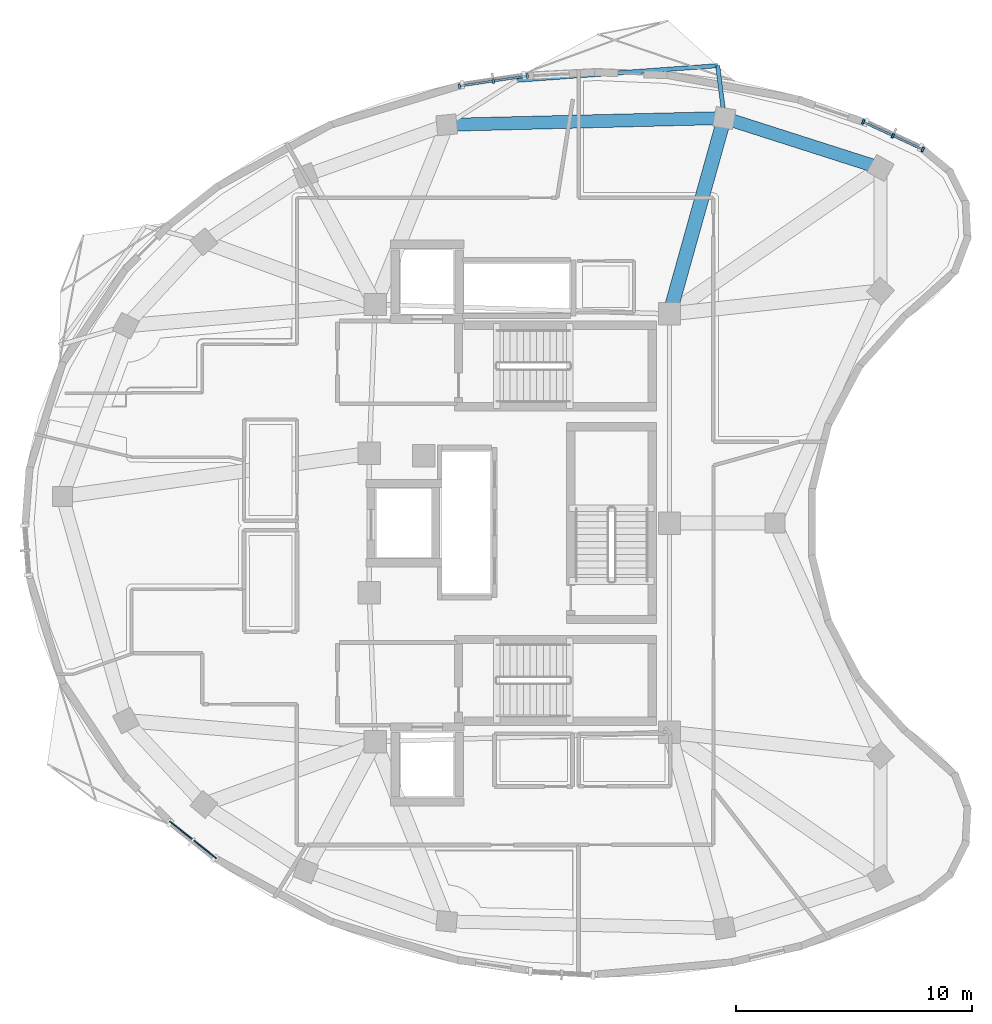
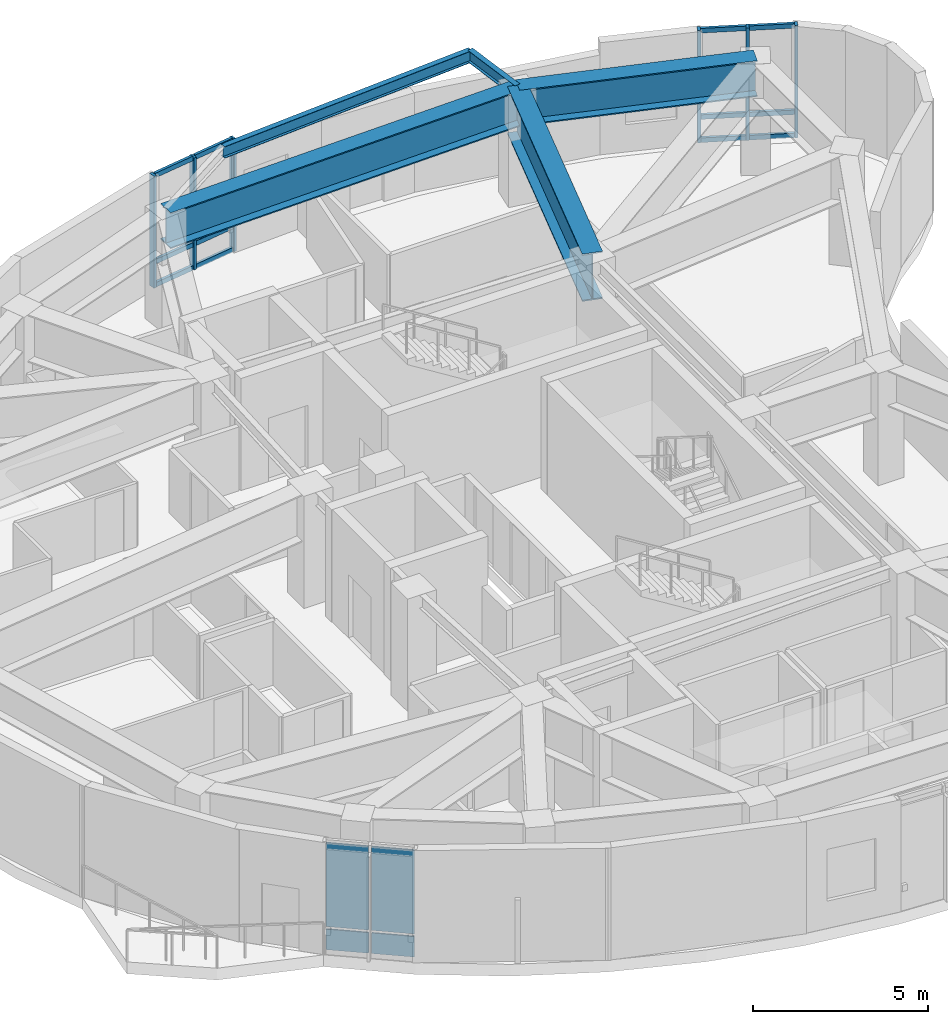
# One storey, part 4 of 12: 18 members, 5 beams, 4 plates, 3 elements without a shape of their own.
"""IFC4 building model written with IfcOpenShell, lengths in metres."""

import ifcopenshell
import ifcopenshell.guid

model = None  # the IFC model being written
_history = None  # IfcOwnerHistory: only IFC2X3 demands one
_inside = {}  # id of a spatial element -> (the spatial element, [elements in it])
_under = {}  # id of a project, library or spatial element -> (it, [spatial elements below it])
_declared = {}  # id of a project -> (the project, [libraries it declares])
_typed = {}  # id of a type object -> (the type object, [elements of that type])
_made_of = {}  # id of a material, layer set ... -> (it, [elements and type objects made of it])


def new_model(schema):
    """Start an empty IFC model of exactly this schema.

    Asked for "IFC4X3", IfcOpenShell would pick the latest addendum, in which some entities
    have other attributes; the version numbers below select the first issue.
    IFC2X3 requires an IfcOwnerHistory on every rooted entity: one is made here for all.
    """
    global model, _history
    if schema == "IFC4X3":
        model = ifcopenshell.file(schema_version=(4, 3, 0, 0))
    else:
        model = ifcopenshell.file(schema=schema)
    _inside.clear()
    _under.clear()
    _declared.clear()
    _typed.clear()
    _made_of.clear()
    _history = None
    if model.schema == "IFC2X3":
        org = make("IfcOrganization", Name="unknown")
        user = make(
            "IfcPersonAndOrganization",
            ThePerson=make("IfcPerson", FamilyName="unknown"),
            TheOrganization=org,
        )
        app = make(
            "IfcApplication",
            ApplicationDeveloper=org,
            Version="unknown",
            ApplicationFullName="unknown",
            ApplicationIdentifier="unknown",
        )
        _history = make(
            "IfcOwnerHistory",
            OwningUser=user,
            OwningApplication=app,
            ChangeAction="ADDED",
            CreationDate=0,
        )
    return model


def make(cls, **values):
    """One entity of the class cls with the attributes given. An attribute that is None is left unset."""
    return model.create_entity(
        cls, **{name: value for name, value in values.items() if value is not None}
    )


def rooted(cls, **values):
    """An entity with a GlobalId (a new one), such as an element, a storey or a relation."""
    return make(cls, GlobalId=ifcopenshell.guid.new(), OwnerHistory=_history, **values)


def si_unit(unit_type, name, prefix=None):
    """IfcSIUnit, for example si_unit("LENGTHUNIT", "METRE", prefix="MILLI")."""
    return make("IfcSIUnit", UnitType=unit_type, Prefix=prefix, Name=name)


def assignment(units):
    """IfcUnitAssignment: the units of a project."""
    return None if units is None else make("IfcUnitAssignment", Units=units)


def point(xyz):
    """IfcCartesianPoint."""
    return None if xyz is None else make("IfcCartesianPoint", Coordinates=xyz)


def direction(xyz):
    """IfcDirection."""
    return None if xyz is None else make("IfcDirection", DirectionRatios=xyz)


def frame(location, z_axis=None, x_axis=None):
    """IfcAxis2Placement3D, a coordinate frame: its origin and axes. An axis left out is left unset."""
    return make(
        "IfcAxis2Placement3D",
        Location=point(location),
        Axis=direction(z_axis),
        RefDirection=direction(x_axis),
    )


def frame_2d(location, x_axis=None):
    """IfcAxis2Placement2D, a coordinate frame in the plane: its origin and x axis."""
    return make(
        "IfcAxis2Placement2D", Location=point(location), RefDirection=direction(x_axis)
    )


def origin():
    """The frame at (0, 0, 0) with its axes left unset."""
    return frame((0.0, 0.0, 0.0))


def origin_2d():
    """The frame at (0, 0) in the plane with its x axis left unset."""
    return frame_2d((0.0, 0.0))


def place(relative_to, where):
    """IfcLocalPlacement: puts the frame where relative to a parent placement (None: the world)."""
    return make(
        "IfcLocalPlacement", PlacementRelTo=relative_to, RelativePlacement=where
    )


def context(
    kind, dimensions, precision=None, world=None, true_north=None, identifier=None
):
    """IfcGeometricRepresentationContext, for example the 3D "Model" context."""
    return make(
        "IfcGeometricRepresentationContext",
        ContextIdentifier=identifier,
        ContextType=kind,
        CoordinateSpaceDimension=dimensions,
        Precision=precision,
        WorldCoordinateSystem=world,
        TrueNorth=true_north,
    )


def subcontext(parent, identifier, kind, view, scale=None):
    """IfcGeometricRepresentationSubContext, for example "Body" below "Model"."""
    return make(
        "IfcGeometricRepresentationSubContext",
        ContextIdentifier=identifier,
        ContextType=kind,
        ParentContext=parent,
        TargetScale=scale,
        TargetView=view,
    )


def project(units=None, contexts=None):
    """IfcProject with its units and contexts."""
    return rooted(
        "IfcProject",
        Name="project",
        RepresentationContexts=contexts,
        UnitsInContext=assignment(units),
    )


def spatial(cls, under=None, at=None, **own):
    """A site, building, storey or space (cls), placed at a placement, below another one or the project."""
    s = rooted(cls, ObjectPlacement=at, **own)
    if under is not None:
        _under.setdefault(under.id(), (under, []))[1].append(s)
    return s


def profile(cls, at=None, kind="AREA", **sizes):
    """A parametric profile (cls). Its sizes go by their IFC names, for example OverallWidth=200.0."""
    return make(cls, ProfileType=kind, Position=at, **sizes)


def rectangle(**sizes):
    """IfcRectangleProfileDef."""
    return profile("IfcRectangleProfileDef", **sizes)


def i_section(**sizes):
    """IfcIShapeProfileDef."""
    return profile("IfcIShapeProfileDef", **sizes)


def extrude(swept, where, along, depth):
    """IfcExtrudedAreaSolid: the profile swept, set in the frame where, extruded along a direction by depth."""
    return make(
        "IfcExtrudedAreaSolid",
        SweptArea=swept,
        Position=where,
        ExtrudedDirection=direction(along),
        Depth=depth,
    )


def shape(context_of_items, identifier, shape_type, items):
    """IfcShapeRepresentation: the items that make up one representation, for example the "Body"."""
    return make(
        "IfcShapeRepresentation",
        ContextOfItems=context_of_items,
        RepresentationIdentifier=identifier,
        RepresentationType=shape_type,
        Items=items,
    )


def material(Name=None, Category=None):
    """IfcMaterial."""
    return make("IfcMaterial", Name=Name, Category=Category)


def layer(
    of_material, thickness, ventilated=None, Name=None, Category=None, Priority=None
):
    """IfcMaterialLayer: one layer of a wall or slab, of a material (None: an air gap)."""
    return make(
        "IfcMaterialLayer",
        Material=of_material,
        LayerThickness=thickness,
        IsVentilated=ventilated,
        Name=Name,
        Category=Category,
        Priority=Priority,
    )


def layer_set(layers, Name=None):
    """IfcMaterialLayerSet."""
    return make("IfcMaterialLayerSet", MaterialLayers=layers, LayerSetName=Name)


def material_profile(
    of_material, cross_section, Name=None, Category=None, Priority=None
):
    """IfcMaterialProfile: a cross section and its material."""
    return make(
        "IfcMaterialProfile",
        Name=Name,
        Material=of_material,
        Profile=cross_section,
        Priority=Priority,
        Category=Category,
    )


def profile_set(profiles, Name=None, composite=None):
    """IfcMaterialProfileSet."""
    return make(
        "IfcMaterialProfileSet",
        Name=Name,
        MaterialProfiles=profiles,
        CompositeProfile=composite,
    )


def made_of(thing, what):
    """Note that an element or type object is made of a material, layer set ...; save() writes the relation."""
    if what is not None:
        _made_of.setdefault(what.id(), (what, []))[1].append(thing)
    return thing


def type_object(cls, material=None, **own):
    """A type object (cls), such as IfcWallType, which elements share."""
    return made_of(rooted(cls, **own), material)


def element(
    cls,
    number,
    at=None,
    inside=None,
    cuts=None,
    type_object=None,
    material=None,
    context=None,
    identifier="Body",
    shape_type=None,
    held_by="IfcProductDefinitionShape",
    body=None,
    shapes=None,
    **own,
):
    """One element of the class cls, such as IfcWall. Its Tag is "e" and its number.

    at: its placement. inside: the storey or other place that contains it. cuts: it is an
    opening in that element (IfcRelVoidsElement). A single representation is given by context,
    identifier, shape_type and body (its items); several are given by shapes. held_by: the class
    of the entity that holds the representations. save() writes the other relations.
    """
    e = rooted(cls, Tag="e%d" % number, ObjectPlacement=at, **own)
    if body is not None:
        shapes = [shape(context, identifier, shape_type, body)]
    if shapes is not None:
        e.Representation = make(held_by, Representations=shapes)
    if inside is not None:
        _inside.setdefault(inside.id(), (inside, []))[1].append(e)
    if cuts is not None:
        rooted(
            "IfcRelVoidsElement", RelatingBuildingElement=cuts, RelatedOpeningElement=e
        )
    if type_object is not None:
        _typed.setdefault(type_object.id(), (type_object, []))[1].append(e)
    return made_of(e, material)


def aggregate(whole, parts):
    """IfcRelAggregates: a whole, such as a stair, and the parts it consists of."""
    return rooted("IfcRelAggregates", RelatingObject=whole, RelatedObjects=parts)


def save(model, path):
    """Write the relations noted so far, then the file.

    IfcRelAggregates (storeys below a building ...), IfcRelContainedInSpatialStructure (elements
    in a storey), IfcRelDefinesByType, IfcRelAssociatesMaterial and IfcRelDeclares: one each for
    every whole, place, type object, material and project.
    """
    for whole, parts in _under.values():
        aggregate(whole, parts)
    for where, things in _inside.values():
        rooted(
            "IfcRelContainedInSpatialStructure",
            RelatedElements=things,
            RelatingStructure=where,
        )
    for kind, things in _typed.values():
        rooted("IfcRelDefinesByType", RelatedObjects=things, RelatingType=kind)
    for what, things in _made_of.values():
        rooted("IfcRelAssociatesMaterial", RelatedObjects=things, RelatingMaterial=what)
    for by, libraries in _declared.values():
        rooted("IfcRelDeclares", RelatingContext=by, RelatedDefinitions=libraries)
    model.write(path)


model = new_model("IFC4")

# Units and contexts
model_context = context("Model", 3, precision=1e-05, world=origin(), true_north=direction((0.0, 1.0)))
body_context = subcontext(model_context, "Body", "Model", "MODEL_VIEW")
ifc_project = project(units=[si_unit("LENGTHUNIT", "METRE"), si_unit("AREAUNIT", "SQUARE_METRE"), si_unit("VOLUMEUNIT", "CUBIC_METRE"), si_unit("PLANEANGLEUNIT", "RADIAN"), si_unit("MASSUNIT", "GRAM", prefix="KILO")], contexts=[model_context])

# Site, building, storey
site_placement = place(None, origin())
site = spatial("IfcSite", under=ifc_project, at=site_placement, CompositionType="ELEMENT")
building_placement = place(site_placement, origin())
building = spatial("IfcBuilding", under=site, at=building_placement, Name="Korentha Bioscience Tower", CompositionType="ELEMENT")
storey_placement = place(building_placement, frame((0.0, 0.0, 286.800048828125)))
storey = spatial("IfcBuildingStorey", under=building, at=storey_placement, Name="L66", CompositionType="ELEMENT", Elevation=286.800048828125)

# Beams
ifc_material_1 = material(Name="Steel S355", Category="steel")
ifc_material_profile_1 = material_profile(ifc_material_1, i_section(OverallWidth=0.550048828125, OverallDepth=1.25, WebThickness=0.02392578125, FlangeThickness=0.0400390625, at=origin_2d()), Name="Steel S355")
ifc_profile_set_1 = profile_set([ifc_material_profile_1], Name="Steel S355 (TG-03)")
beam_type_1 = type_object("IfcBeamType", Name="Crown Step Transfer Girder CVS 1250x510", PredefinedType="USERDEFINED", material=ifc_profile_set_1)
beam_1_placement = place(storey_placement, frame((46.476318359375, 42.022705078125, 3.27490234375), z_axis=(-0.952374693577, 0.304930226503, 0.0), x_axis=(-0.304930226503, -0.952374693577, 0.0)))
element("IfcBeam", 1, at=beam_1_placement, inside=storey, type_object=beam_type_1, Name="L66 Perimeter Spandrel Girder 01", ObjectType="TRANSFER_GIRDER", PredefinedType="USERDEFINED", context=body_context, shape_type="SweptSolid", body=[
    extrude(i_section(OverallWidth=0.550048828125, OverallDepth=1.25, WebThickness=0.02392578125, FlangeThickness=0.0400390625, at=origin_2d()), origin(), (0.0, 0.0, 1.0), 6.9375),
])
beam_2_placement = place(storey_placement, frame((39.869140625, 44.13818359375, 3.27490234375), z_axis=(-0.999696680128, -0.024628189974, 0.0), x_axis=(0.024628189974, -0.999696680128, 0.0)))
element("IfcBeam", 2, at=beam_2_placement, inside=storey, type_object=beam_type_1, Name="L66 Perimeter Spandrel Girder 02", ObjectType="TRANSFER_GIRDER", PredefinedType="USERDEFINED", context=body_context, shape_type="SweptSolid", body=[
    extrude(i_section(OverallWidth=0.550048828125, OverallDepth=1.25, WebThickness=0.02392578125, FlangeThickness=0.0400390625, at=origin_2d()), origin(), (0.0, 0.0, 1.0), 11.7470703125),
])
ifc_material_profile_2 = material_profile(ifc_material_1, i_section(OverallWidth=0.60009765625, OverallDepth=1.64990234375, WebThickness=0.02587890625, FlangeThickness=0.0439453125, at=origin_2d()), Name="Steel S355")
ifc_profile_set_2 = profile_set([ifc_material_profile_2], Name="Steel S355 (TG-04)")
beam_type_2 = type_object("IfcBeamType", Name="Deep Setback Transfer Girder CVS 1650x620", PredefinedType="USERDEFINED", material=ifc_profile_set_2)
beam_3_placement = place(storey_placement, frame((37.550048828125, 35.85009765625, 3.074951171875), z_axis=(0.269460517512, 0.963011437888, 0.0), x_axis=(-0.963011437888, 0.269460517512, 0.0)))
element("IfcBeam", 3, at=beam_3_placement, inside=storey, type_object=beam_type_2, Name="L66 Radial Transfer Girder 02", ObjectType="TRANSFER_GIRDER", PredefinedType="USERDEFINED", context=body_context, shape_type="SweptSolid", body=[
    extrude(i_section(OverallWidth=0.60009765625, OverallDepth=1.64990234375, WebThickness=0.02587890625, FlangeThickness=0.0439453125, at=origin_2d()), origin(), (0.0, 0.0, 1.0), 8.6064453125),
])

# Curtain wall, members
ifc_material_2 = material(Name="Thermally Broken Aluminium Frame", Category="aluminium")
ifc_layer_1 = layer(ifc_material_2, 0.219970703125, Name="Thermally Broken Aluminium Frame")
ifc_layer_set_1 = layer_set([ifc_layer_1], Name="Thermally Broken Aluminium Frame (CW-T2)")
curtain_wall_type = type_object("IfcCurtainWallType", Name="Solar-Screened Lab Unitised Curtain Wall CW-T2", PredefinedType="USERDEFINED", material=ifc_layer_set_1)
curtain_wall_1_placement = place(storey_placement, origin())
curtain_wall_1 = element("IfcCurtainWall", 4, at=curtain_wall_1_placement, inside=storey, type_object=curtain_wall_type, Name="L66 Curtain Wall 01", ObjectType="UNITISED", PredefinedType="USERDEFINED")
ifc_material_3 = material(Name="Anodised Aluminium 6063-T6", Category="aluminium")
ifc_material_profile_3 = material_profile(ifc_material_3, rectangle(XDim=0.090087890625, YDim=0.199951171875, at=origin_2d()), Name="Anodised Aluminium 6063-T6")
ifc_profile_set_3 = profile_set([ifc_material_profile_3], Name="Anodised Aluminium 6063-T6 (CW-MUL)")
member_type_1 = type_object("IfcMemberType", Name="Mullion RECT 90x200", PredefinedType="MULLION", material=ifc_profile_set_3)
member_1_placement = place(storey_placement, frame((48.2646484375, 42.802490234375, 0.0), z_axis=(0.0, 0.0, 1.0), x_axis=(-0.907204022278, 0.420690934016, 0.0)))
member_1 = element("IfcMember", 5, at=member_1_placement, type_object=member_type_1, Name="CW-L66-01 Mullion 1", PredefinedType="MULLION", context=body_context, shape_type="SweptSolid", body=[
    extrude(rectangle(XDim=0.090087890625, YDim=0.199951171875, at=origin_2d()), origin(), (0.0, 0.0, 1.0), 3.89990234375),
])
member_2_placement = place(storey_placement, frame((47.002197265625, 43.387939453125, 0.0), z_axis=(0.0, 0.0, 1.0), x_axis=(-0.907204022278, 0.420690934016, 0.0)))
member_2 = element("IfcMember", 6, at=member_2_placement, type_object=member_type_1, Name="CW-L66-01 Mullion 2", PredefinedType="MULLION", context=body_context, shape_type="SweptSolid", body=[
    extrude(rectangle(XDim=0.090087890625, YDim=0.199951171875, at=origin_2d()), origin(), (0.0, 0.0, 1.0), 3.89990234375),
])
member_3_placement = place(storey_placement, frame((45.739990234375, 43.973388671875, 0.0), z_axis=(0.0, 0.0, 1.0), x_axis=(-0.907204022278, 0.420690934016, 0.0)))
member_3 = element("IfcMember", 7, at=member_3_placement, type_object=member_type_1, Name="CW-L66-01 Mullion 3", PredefinedType="MULLION", context=body_context, shape_type="SweptSolid", body=[
    extrude(rectangle(XDim=0.090087890625, YDim=0.199951171875, at=origin_2d()), origin(), (0.0, 0.0, 1.0), 3.89990234375),
])

curtain_wall_2_placement = place(storey_placement, origin())
curtain_wall_2 = element("IfcCurtainWall", 8, at=curtain_wall_2_placement, inside=storey, type_object=curtain_wall_type, Name="L66 Curtain Wall 07", ObjectType="UNITISED", PredefinedType="USERDEFINED")
member_4_placement = place(storey_placement, frame((31.537353515625, 45.917724609375, 0.0), z_axis=(0.0, 0.0, 1.0), x_axis=(-0.98900659611, -0.147871406471, 0.0)))
member_4 = element("IfcMember", 9, at=member_4_placement, type_object=member_type_1, Name="CW-L66-07 Mullion 1", PredefinedType="MULLION", context=body_context, shape_type="SweptSolid", body=[
    extrude(rectangle(XDim=0.090087890625, YDim=0.199951171875, at=origin_2d()), origin(), (0.0, 0.0, 1.0), 3.89990234375),
])
member_5_placement = place(storey_placement, frame((30.09716796875, 45.702392578125, 0.0), z_axis=(0.0, 0.0, 1.0), x_axis=(-0.98900659611, -0.147871406471, 0.0)))
member_5 = element("IfcMember", 10, at=member_5_placement, type_object=member_type_1, Name="CW-L66-07 Mullion 2", PredefinedType="MULLION", context=body_context, shape_type="SweptSolid", body=[
    extrude(rectangle(XDim=0.090087890625, YDim=0.199951171875, at=origin_2d()), origin(), (0.0, 0.0, 1.0), 3.89990234375),
])
member_6_placement = place(storey_placement, frame((28.65673828125, 45.487060546875, 0.0), z_axis=(0.0, 0.0, 1.0), x_axis=(-0.98900659611, -0.147871406471, 0.0)))
member_6 = element("IfcMember", 11, at=member_6_placement, type_object=member_type_1, Name="CW-L66-07 Mullion 3", PredefinedType="MULLION", context=body_context, shape_type="SweptSolid", body=[
    extrude(rectangle(XDim=0.090087890625, YDim=0.199951171875, at=origin_2d()), origin(), (0.0, 0.0, 1.0), 3.89990234375),
])

# Beams
ifc_material_profile_4 = material_profile(ifc_material_1, i_section(OverallWidth=0.177978515625, OverallDepth=0.406982421875, WebThickness=0.0078125, FlangeThickness=0.0126953125, at=origin_2d()), Name="Steel S355")
ifc_profile_set_4 = profile_set([ifc_material_profile_4], Name="Steel S355 (CB-410)")
beam_type_3 = type_object("IfcBeamType", Name="Sun-Ledge Cantilever Beam W410x60", PredefinedType="BEAM", material=ifc_profile_set_4)
beam_4_placement = place(storey_placement, frame((39.869140625, 44.13818359375, 3.698486328125), z_axis=(-0.125825547699, 0.992052383469, 0.0), x_axis=(-0.992052383469, -0.125825547699, 0.0)))
element("IfcBeam", 12, at=beam_4_placement, inside=storey, type_object=beam_type_3, Name="L66 Balcony Cantilever Bracket A-L67-01", PredefinedType="BEAM", context=body_context, shape_type="SweptSolid", body=[
    extrude(i_section(OverallWidth=0.177978515625, OverallDepth=0.406982421875, WebThickness=0.0078125, FlangeThickness=0.0126953125, at=origin_2d()), origin(), (0.0, 0.0, 1.0), 2.2314453125),
])
beam_5_placement = place(storey_placement, frame((39.58837890625, 46.351806640625, 3.698486328125), z_axis=(-0.997376820373, -0.072384239882, 0.0), x_axis=(0.072384239882, -0.997376820373, 0.0)))
element("IfcBeam", 13, at=beam_5_placement, inside=storey, type_object=beam_type_3, Name="L66 Balcony Edge Trimmer Beam L67-01", PredefinedType="BEAM", context=body_context, shape_type="SweptSolid", body=[
    extrude(i_section(OverallWidth=0.177978515625, OverallDepth=0.406982421875, WebThickness=0.0078125, FlangeThickness=0.0126953125, at=origin_2d()), origin(), (0.0, 0.0, 1.0), 8.512939453125),
])

# Member
ifc_material_profile_5 = material_profile(ifc_material_3, rectangle(XDim=0.090087890625, YDim=0.159912109375, at=origin_2d()), Name="Anodised Aluminium 6063-T6")
ifc_profile_set_5 = profile_set([ifc_material_profile_5], Name="Anodised Aluminium 6063-T6 (CW-TRN)")
member_type_2 = type_object("IfcMemberType", Name="Transom RECT 90x160", PredefinedType="USERDEFINED", material=ifc_profile_set_5)
member_7_placement = place(storey_placement, frame((48.223876953125, 42.821533203125, 0.044921875), z_axis=(-0.907172669062, 0.420758539435, 0.0), x_axis=(-0.420758539435, -0.907172669062, 0.0)))
member_7 = element("IfcMember", 14, at=member_7_placement, type_object=member_type_2, Name="CW-L66-01 Bay 1 Transom 1", ObjectType="TRANSOM", PredefinedType="USERDEFINED", context=body_context, shape_type="SweptSolid", body=[
    extrude(rectangle(XDim=0.090087890625, YDim=0.159912109375, at=origin_2d()), origin(), (0.0, 0.0, 1.0), 1.301513671875),
])

member_8_placement = place(storey_placement, frame((48.223876953125, 42.821533203125, 0.849853515625), z_axis=(-0.907172669062, 0.420758539435, 0.0), x_axis=(-0.420758539435, -0.907172669062, 0.0)))
member_8 = element("IfcMember", 15, at=member_8_placement, type_object=member_type_2, Name="CW-L66-01 Bay 1 Transom 2", ObjectType="TRANSOM", PredefinedType="USERDEFINED", context=body_context, shape_type="SweptSolid", body=[
    extrude(rectangle(XDim=0.090087890625, YDim=0.159912109375, at=origin_2d()), origin(), (0.0, 0.0, 1.0), 1.301513671875),
])

member_9_placement = place(storey_placement, frame((48.223876953125, 42.821533203125, 3.85498046875), z_axis=(-0.907172669062, 0.420758539435, 0.0), x_axis=(-0.420758539435, -0.907172669062, 0.0)))
member_9 = element("IfcMember", 16, at=member_9_placement, type_object=member_type_2, Name="CW-L66-01 Bay 1 Transom 3", ObjectType="TRANSOM", PredefinedType="USERDEFINED", context=body_context, shape_type="SweptSolid", body=[
    extrude(rectangle(XDim=0.090087890625, YDim=0.159912109375, at=origin_2d()), origin(), (0.0, 0.0, 1.0), 1.301513671875),
])

member_10_placement = place(storey_placement, frame((46.96142578125, 43.406982421875, 0.044921875), z_axis=(-0.907244263807, 0.420604143808, 0.0), x_axis=(-0.420604143808, -0.907244263807, 0.0)))
member_10 = element("IfcMember", 17, at=member_10_placement, type_object=member_type_2, Name="CW-L66-01 Bay 2 Transom 1", ObjectType="TRANSOM", PredefinedType="USERDEFINED", context=body_context, shape_type="SweptSolid", body=[
    extrude(rectangle(XDim=0.090087890625, YDim=0.159912109375, at=origin_2d()), origin(), (0.0, 0.0, 1.0), 1.30126953125),
])

member_11_placement = place(storey_placement, frame((46.96142578125, 43.406982421875, 0.849853515625), z_axis=(-0.907244263807, 0.420604143808, 0.0), x_axis=(-0.420604143808, -0.907244263807, 0.0)))
member_11 = element("IfcMember", 18, at=member_11_placement, type_object=member_type_2, Name="CW-L66-01 Bay 2 Transom 2", ObjectType="TRANSOM", PredefinedType="USERDEFINED", context=body_context, shape_type="SweptSolid", body=[
    extrude(rectangle(XDim=0.090087890625, YDim=0.159912109375, at=origin_2d()), origin(), (0.0, 0.0, 1.0), 1.30126953125),
])

member_12_placement = place(storey_placement, frame((46.96142578125, 43.406982421875, 3.85498046875), z_axis=(-0.907244263807, 0.420604143808, 0.0), x_axis=(-0.420604143808, -0.907244263807, 0.0)))
member_12 = element("IfcMember", 19, at=member_12_placement, type_object=member_type_2, Name="CW-L66-01 Bay 2 Transom 3", ObjectType="TRANSOM", PredefinedType="USERDEFINED", context=body_context, shape_type="SweptSolid", body=[
    extrude(rectangle(XDim=0.090087890625, YDim=0.159912109375, at=origin_2d()), origin(), (0.0, 0.0, 1.0), 1.30126953125),
])

aggregate(curtain_wall_1, [member_1, member_2, member_3, member_7, member_8, member_9, member_10, member_11, member_12])

member_13_placement = place(storey_placement, frame((31.492919921875, 45.9111328125, 0.044921875), z_axis=(-0.988995252299, -0.147947257255, 0.0), x_axis=(0.147947257255, -0.988995252299, 0.0)))
member_13 = element("IfcMember", 20, at=member_13_placement, type_object=member_type_2, Name="CW-L66-07 Bay 1 Transom 1", ObjectType="TRANSOM", PredefinedType="USERDEFINED", context=body_context, shape_type="SweptSolid", body=[
    extrude(rectangle(XDim=0.090087890625, YDim=0.159912109375, at=origin_2d()), origin(), (0.0, 0.0, 1.0), 1.366455078125),
])

member_14_placement = place(storey_placement, frame((31.492919921875, 45.9111328125, 0.849853515625), z_axis=(-0.988995252299, -0.147947257255, 0.0), x_axis=(0.147947257255, -0.988995252299, 0.0)))
member_14 = element("IfcMember", 21, at=member_14_placement, type_object=member_type_2, Name="CW-L66-07 Bay 1 Transom 2", ObjectType="TRANSOM", PredefinedType="USERDEFINED", context=body_context, shape_type="SweptSolid", body=[
    extrude(rectangle(XDim=0.090087890625, YDim=0.159912109375, at=origin_2d()), origin(), (0.0, 0.0, 1.0), 1.366455078125),
])

member_15_placement = place(storey_placement, frame((31.492919921875, 45.9111328125, 3.85498046875), z_axis=(-0.988995252299, -0.147947257255, 0.0), x_axis=(0.147947257255, -0.988995252299, 0.0)))
member_15 = element("IfcMember", 22, at=member_15_placement, type_object=member_type_2, Name="CW-L66-07 Bay 1 Transom 3", ObjectType="TRANSOM", PredefinedType="USERDEFINED", context=body_context, shape_type="SweptSolid", body=[
    extrude(rectangle(XDim=0.090087890625, YDim=0.159912109375, at=origin_2d()), origin(), (0.0, 0.0, 1.0), 1.366455078125),
])

member_16_placement = place(storey_placement, frame((30.052490234375, 45.69580078125, 0.044921875), z_axis=(-0.988991340239, -0.147973406165, 0.0), x_axis=(0.147973406165, -0.988991340239, 0.0)))
member_16 = element("IfcMember", 23, at=member_16_placement, type_object=member_type_2, Name="CW-L66-07 Bay 2 Transom 1", ObjectType="TRANSOM", PredefinedType="USERDEFINED", context=body_context, shape_type="SweptSolid", body=[
    extrude(rectangle(XDim=0.090087890625, YDim=0.159912109375, at=origin_2d()), origin(), (0.0, 0.0, 1.0), 1.3662109375),
])

member_17_placement = place(storey_placement, frame((30.052490234375, 45.69580078125, 0.849853515625), z_axis=(-0.988991340239, -0.147973406165, 0.0), x_axis=(0.147973406165, -0.988991340239, 0.0)))
member_17 = element("IfcMember", 24, at=member_17_placement, type_object=member_type_2, Name="CW-L66-07 Bay 2 Transom 2", ObjectType="TRANSOM", PredefinedType="USERDEFINED", context=body_context, shape_type="SweptSolid", body=[
    extrude(rectangle(XDim=0.090087890625, YDim=0.159912109375, at=origin_2d()), origin(), (0.0, 0.0, 1.0), 1.3662109375),
])

member_18_placement = place(storey_placement, frame((30.052490234375, 45.69580078125, 3.85498046875), z_axis=(-0.988991340239, -0.147973406165, 0.0), x_axis=(0.147973406165, -0.988991340239, 0.0)))
member_18 = element("IfcMember", 25, at=member_18_placement, type_object=member_type_2, Name="CW-L66-07 Bay 2 Transom 3", ObjectType="TRANSOM", PredefinedType="USERDEFINED", context=body_context, shape_type="SweptSolid", body=[
    extrude(rectangle(XDim=0.090087890625, YDim=0.159912109375, at=origin_2d()), origin(), (0.0, 0.0, 1.0), 1.3662109375),
])

aggregate(curtain_wall_2, [member_4, member_5, member_6, member_13, member_14, member_15, member_16, member_17, member_18])

# Curtain wall, plates
curtain_wall_3_placement = place(storey_placement, origin())
curtain_wall_3 = element("IfcCurtainWall", 26, at=curtain_wall_3_placement, inside=storey, type_object=curtain_wall_type, Name="L66 Curtain Wall 25", ObjectType="UNITISED", PredefinedType="USERDEFINED")
ifc_material_4 = material(Name="Triple-Glazed Low-E Insulated Glass", Category="glass")
ifc_layer_2 = layer(ifc_material_4, 0.0439453125, Name="Triple-Glazed Low-E Insulated Glass")
ifc_layer_set_2 = layer_set([ifc_layer_2], Name="Triple-Glazed Low-E Insulated Glass (GL-44)")
plate_type = type_object("IfcPlateType", Name="Glazed Panel 44mm", PredefinedType="CURTAIN_PANEL", material=ifc_layer_set_2)
plate_1_placement = place(storey_placement, frame((16.877197265625, 14.0107421875, 0.08984375), z_axis=(0.0, 0.0, 1.0), x_axis=(0.78407560827, -0.620665320858, 0.0)))
plate_1 = element("IfcPlate", 27, at=plate_1_placement, type_object=plate_type, Name="CW-L66-25 Bay 1 Glazed Panel 1", PredefinedType="CURTAIN_PANEL", context=body_context, shape_type="SweptSolid", body=[
    extrude(rectangle(XDim=1.2265625, YDim=0.0439453125, at=origin_2d()), origin(), (0.0, 0.0, 1.0), 0.715087890625),
])
plate_2_placement = place(storey_placement, frame((16.877197265625, 14.0107421875, 0.89501953125), z_axis=(0.0, 0.0, 1.0), x_axis=(0.78407560827, -0.620665320858, 0.0)))
plate_2 = element("IfcPlate", 28, at=plate_2_placement, type_object=plate_type, Name="CW-L66-25 Bay 1 Glazed Panel 2", PredefinedType="CURTAIN_PANEL", context=body_context, shape_type="SweptSolid", body=[
    extrude(rectangle(XDim=1.2265625, YDim=0.0439453125, at=origin_2d()), origin(), (0.0, 0.0, 1.0), 2.9150390625),
])
plate_3_placement = place(storey_placement, frame((17.90966796875, 13.193603515625, 0.08984375), z_axis=(0.0, 0.0, 1.0), x_axis=(0.78407560827, -0.620665320858, 0.0)))
plate_3 = element("IfcPlate", 29, at=plate_3_placement, type_object=plate_type, Name="CW-L66-25 Bay 2 Glazed Panel 1", PredefinedType="CURTAIN_PANEL", context=body_context, shape_type="SweptSolid", body=[
    extrude(rectangle(XDim=1.2265625, YDim=0.0439453125, at=origin_2d()), origin(), (0.0, 0.0, 1.0), 0.715087890625),
])
plate_4_placement = place(storey_placement, frame((17.90966796875, 13.193603515625, 0.89501953125), z_axis=(0.0, 0.0, 1.0), x_axis=(0.78407560827, -0.620665320858, 0.0)))
plate_4 = element("IfcPlate", 30, at=plate_4_placement, type_object=plate_type, Name="CW-L66-25 Bay 2 Glazed Panel 2", PredefinedType="CURTAIN_PANEL", context=body_context, shape_type="SweptSolid", body=[
    extrude(rectangle(XDim=1.2265625, YDim=0.0439453125, at=origin_2d()), origin(), (0.0, 0.0, 1.0), 2.9150390625),
])
aggregate(curtain_wall_3, [plate_1, plate_2, plate_3, plate_4])

save(model, "model.ifc")
